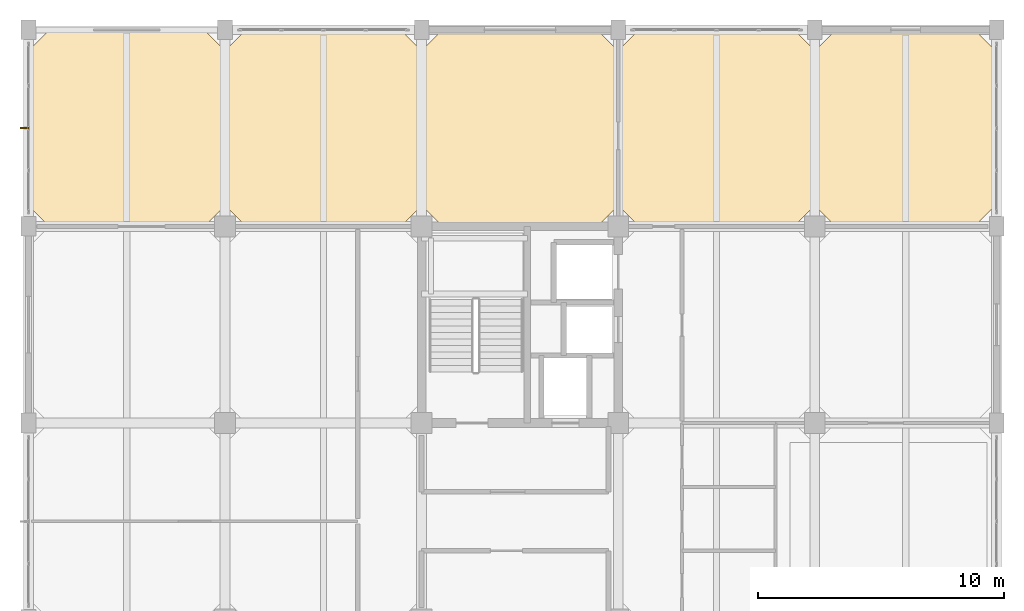
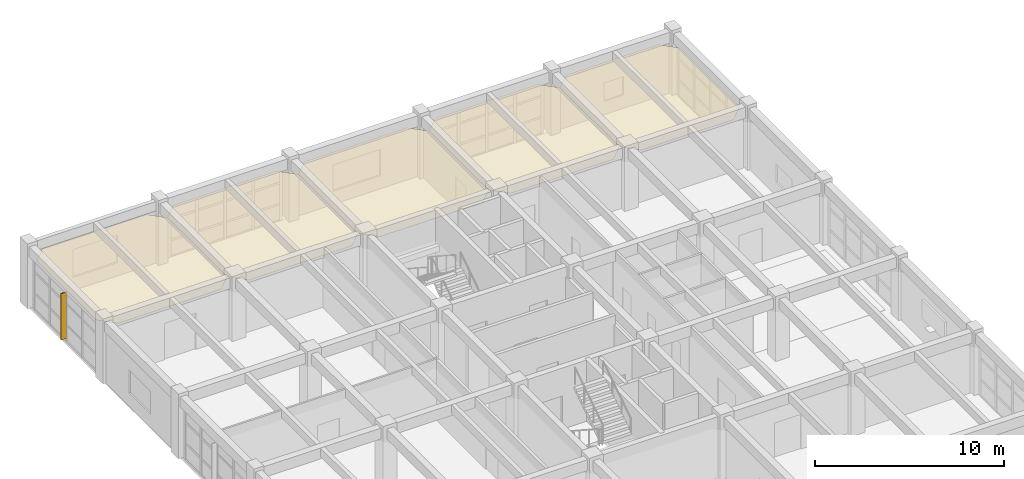
# One storey, part 27 of 27: 5 coverings, 1 shading device.
"""IFC4 building model written with IfcOpenShell, lengths in metres."""

from ifc_helpers import new_model, si_unit, direction, frame, origin, origin_2d, place, context, subcontext, project, spatial, polyline, rectangle, outline, extrude, material, layer, layer_set, type_object, element, save


model = new_model("IFC4")

# Units and contexts
model_context = context("Model", 3, precision=1e-05, world=origin(), true_north=direction((0.0, 1.0)))
body_context = subcontext(model_context, "Body", "Model", "MODEL_VIEW")
ifc_project = project(units=[si_unit("LENGTHUNIT", "METRE"), si_unit("AREAUNIT", "SQUARE_METRE"), si_unit("VOLUMEUNIT", "CUBIC_METRE"), si_unit("PLANEANGLEUNIT", "RADIAN"), si_unit("MASSUNIT", "GRAM", prefix="KILO")], contexts=[model_context])

# Site, building, storey
site_placement = place(None, origin())
site = spatial("IfcSite", under=ifc_project, at=site_placement, CompositionType="ELEMENT")
building_placement = place(site_placement, origin())
building = spatial("IfcBuilding", under=site, at=building_placement, Name="Canggui Botanical Conservatory", CompositionType="ELEMENT")
storey_placement = place(building_placement, frame((0.0, 0.0, 31.800048828125)))
storey = spatial("IfcBuildingStorey", under=building, at=storey_placement, Name="L08", CompositionType="ELEMENT", Elevation=31.800048828125)

# Coverings
ifc_material_1 = material(Name="Mineral Fibre Acoustic Board")
ifc_layer_1 = layer(ifc_material_1, 0.014892578125, Name="Mineral Fibre Acoustic Board")
ifc_layer_set_1 = layer_set([ifc_layer_1], Name="Mineral Fibre Acoustic Board")
covering_type_1 = type_object("IfcCoveringType", Name="COV-CEIL-15", PredefinedType="CEILING", material=ifc_layer_set_1)
covering_1_placement = place(storey_placement, frame((0.0, 0.0, 3.264892578125)))
element("IfcCovering", 1, at=covering_1_placement, inside=storey, type_object=covering_type_1, Name="Suspended Acoustic Ceiling L08-146-66", PredefinedType="CEILING", context=body_context, shape_type="SweptSolid", body=[
    extrude(outline(polyline([(146.85009765625, 66.0), (153.14990234375, 66.0), (154.0, 66.85009765625), (154.0, 73.14990234375), (153.14990234375, 74.0), (146.85009765625, 74.0), (146.0, 73.14990234375), (146.0, 66.85009765625), (146.85009765625, 66.0)])), origin(), (0.0, 0.0, 1.0), 0.01513671875),
])
covering_2_placement = place(storey_placement, frame((0.0, 0.0, 3.264892578125)))
element("IfcCovering", 2, at=covering_2_placement, inside=storey, type_object=covering_type_1, Name="Suspended Acoustic Ceiling L08-162-66", PredefinedType="CEILING", context=body_context, shape_type="SweptSolid", body=[
    extrude(outline(polyline([(162.85009765625, 66.0), (169.14990234375, 66.0), (170.0, 66.85009765625), (170.0, 73.14990234375), (169.14990234375, 74.0), (162.85009765625, 74.0), (162.0, 73.14990234375), (162.0, 66.85009765625), (162.85009765625, 66.0)])), origin(), (0.0, 0.0, 1.0), 0.01513671875),
])
ifc_material_2 = material(Name="Perforated Gypsum Acoustic Panel")
ifc_layer_2 = layer(ifc_material_2, 0.02001953125, Name="Perforated Gypsum Acoustic Panel")
ifc_layer_set_2 = layer_set([ifc_layer_2], Name="Perforated Gypsum Acoustic Panel")
covering_type_2 = type_object("IfcCoveringType", Name="COV-CEIL-20", PredefinedType="CEILING", material=ifc_layer_set_2)
covering_3_placement = place(storey_placement, frame((0.0, 0.0, 3.260009765625)))
element("IfcCovering", 3, at=covering_3_placement, inside=storey, type_object=covering_type_2, Name="Suspended Acoustic Ceiling L08-138-66", PredefinedType="CEILING", context=body_context, shape_type="SweptSolid", body=[
    extrude(outline(polyline([(138.85009765625, 66.0), (145.14990234375, 66.0), (146.0, 66.85009765625), (146.0, 73.14990234375), (145.14990234375, 74.0), (138.85009765625, 74.0), (138.0, 73.14990234375), (138.0, 66.85009765625), (138.85009765625, 66.0)])), origin(), (0.0, 0.0, 1.0), 0.02001953125),
])
covering_4_placement = place(storey_placement, frame((0.0, 0.0, 3.260009765625)))
element("IfcCovering", 4, at=covering_4_placement, inside=storey, type_object=covering_type_2, Name="Suspended Acoustic Ceiling L08-154-66", PredefinedType="CEILING", context=body_context, shape_type="SweptSolid", body=[
    extrude(outline(polyline([(154.85009765625, 66.0), (161.14990234375, 66.0), (162.0, 66.85009765625), (162.0, 73.14990234375), (161.14990234375, 74.0), (154.85009765625, 74.0), (154.0, 73.14990234375), (154.0, 66.85009765625), (154.85009765625, 66.0)])), origin(), (0.0, 0.0, 1.0), 0.02001953125),
])
covering_5_placement = place(storey_placement, frame((0.0, 0.0, 3.260009765625)))
element("IfcCovering", 5, at=covering_5_placement, inside=storey, type_object=covering_type_2, Name="Suspended Acoustic Ceiling L08-170-66", PredefinedType="CEILING", context=body_context, shape_type="SweptSolid", body=[
    extrude(outline(polyline([(170.85009765625, 66.0), (176.5, 66.0), (177.35009765625, 66.85009765625), (177.35009765625, 73.14990234375), (176.5, 74.0), (170.85009765625, 74.0), (170.0, 73.14990234375), (170.0, 66.85009765625), (170.85009765625, 66.0)])), origin(), (0.0, 0.0, 1.0), 0.02001953125),
])

# Shading device
ifc_material_3 = material(Name="Anodised Aluminium", Category="aluminium")
shading_device_type = type_object("IfcShadingDeviceType", Name="SHD-FIN02", PredefinedType="AWNING", material=ifc_material_3)
shading_device_placement = place(storey_placement, frame((137.8349609375, 70.0, 0.199951171875), z_axis=(0.0, 0.0, 1.0), x_axis=(0.0, 1.0, 0.0)))
element("IfcShadingDevice", 6, at=shading_device_placement, inside=storey, type_object=shading_device_type, Name="Solar Shading Fin CW-TWR-L08-10", PredefinedType="AWNING", context=body_context, shape_type="SweptSolid", body=[
    extrude(rectangle(XDim=0.06005859375, YDim=0.360107421875, at=origin_2d()), origin(), (0.0, 0.0, 1.0), 3.0),
])

save(model, "model.ifc")
